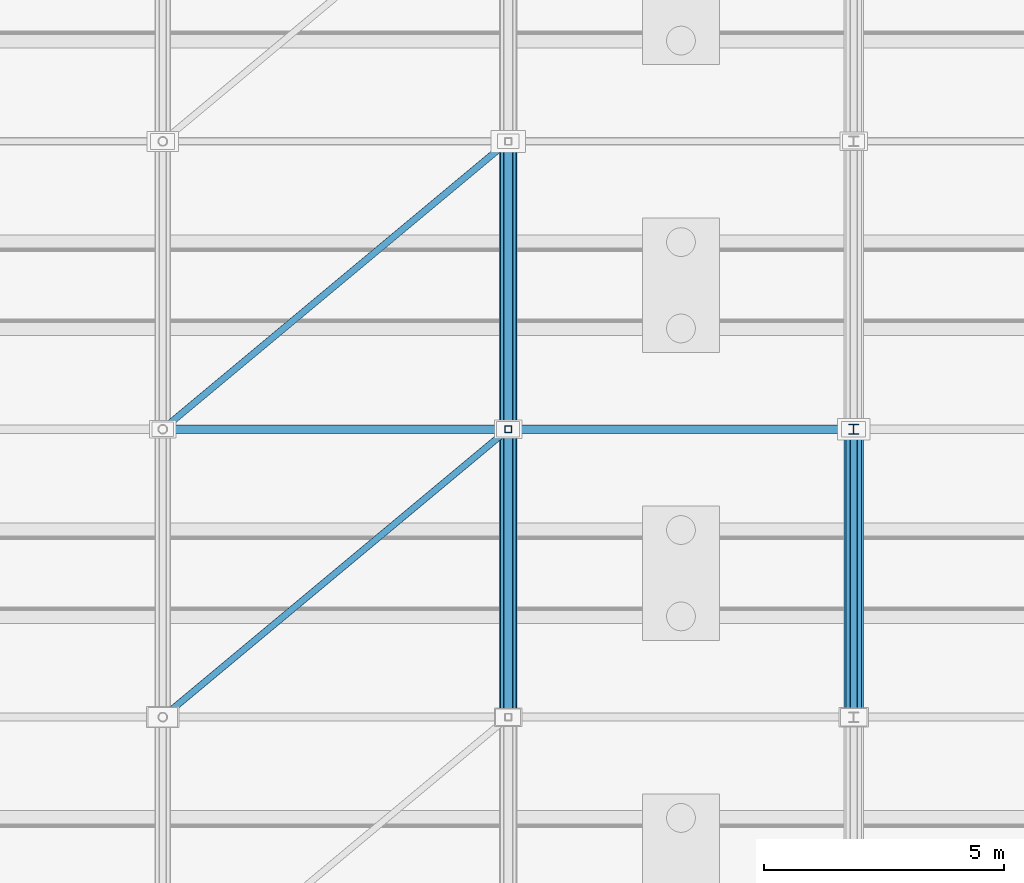
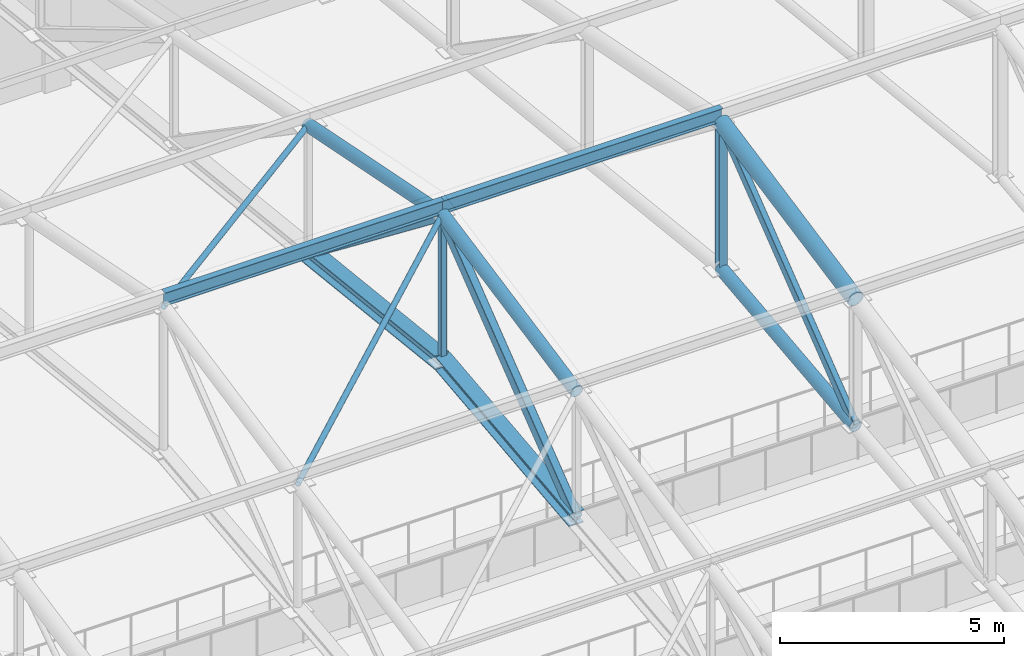
# One storey, part 148 of 293: 15 members.
"""IFC4 building model written with IfcOpenShell, lengths in metres."""

from ifc_helpers import new_model, si_unit, direction, frame, origin, origin_2d, place, context, subcontext, project, spatial, hollow_rectangle, hollow_circle, i_section, extrude, material, material_profile, profile_set, type_object, element, save


model = new_model("IFC4")

# Units and contexts
model_context = context("Model", 3, precision=1e-05, world=origin(), true_north=direction((0.0, 1.0)))
body_context = subcontext(model_context, "Body", "Model", "MODEL_VIEW")
ifc_project = project(units=[si_unit("LENGTHUNIT", "METRE"), si_unit("AREAUNIT", "SQUARE_METRE"), si_unit("VOLUMEUNIT", "CUBIC_METRE"), si_unit("PLANEANGLEUNIT", "RADIAN"), si_unit("MASSUNIT", "GRAM", prefix="KILO")], contexts=[model_context])

# Site, building, storey
site_placement = place(None, origin())
site = spatial("IfcSite", under=ifc_project, at=site_placement, CompositionType="ELEMENT")
building_placement = place(site_placement, origin())
building = spatial("IfcBuilding", under=site, at=building_placement, Name="Kemerveld Promenade Tramway Depot", CompositionType="ELEMENT")
storey_placement = place(building_placement, origin())
storey = spatial("IfcBuildingStorey", under=building, at=storey_placement, Name="L00", CompositionType="ELEMENT", Elevation=0.0)

# Members
ifc_material = material(Name="Steel S355", Category="steel")
ifc_material_profile_1 = material_profile(ifc_material, hollow_rectangle(XDim=0.199951171875, YDim=0.300048828125, WallThickness=0.012451171875, InnerFilletRadius=0.00634765625, OuterFilletRadius=0.018798828125, at=origin_2d()), Name="300x200x12.5 RHS")
ifc_profile_set_1 = profile_set([ifc_material_profile_1], Name="Steel S355")
member_type_1 = type_object("IfcMemberType", Name="MB-M01", PredefinedType="BRACE", material=ifc_profile_set_1)
for number, where, z_axis, x_axis, name in (
    (1, (115.199951171875, 108.0, 12.43994140625), (0.0, 0.789767329101, 0.613406525793), (-1.0, 0.0, 0.0), "TR-17-DG-05"),
    (2, (115.199951171875, 120.0, 12.43994140625), (0.0, -0.789767329101, 0.613406525793), (1.0, 0.0, 0.0), "TR-17-DG-06"),
):
    element("IfcMember", number, at=place(storey_placement, frame(where, z_axis=z_axis, x_axis=x_axis)), inside=storey, type_object=member_type_1, Name=name, PredefinedType="BRACE", context=body_context, shape_type="SweptSolid", body=[
        extrude(hollow_rectangle(XDim=0.199951171875, YDim=0.300048828125, WallThickness=0.012451171875, InnerFilletRadius=0.00634765625, OuterFilletRadius=0.018798828125, at=origin_2d()), origin(), (0.0, 0.0, 1.0), 7.59716796875),
    ])
ifc_material_profile_2 = material_profile(ifc_material, hollow_rectangle(XDim=0.14990234375, YDim=0.25, WallThickness=0.010009765625, InnerFilletRadius=0.0048828125, OuterFilletRadius=0.014892578125, at=origin_2d()), Name="250x150x10.0 RHS")
ifc_profile_set_2 = profile_set([ifc_material_profile_2], Name="Steel S355")
member_type_2 = type_object("IfcMemberType", Name="MB-M02", PredefinedType="BRACE", material=ifc_profile_set_2)
member_1_placement = place(storey_placement, frame((122.39990234375, 108.0, 12.43994140625), z_axis=(0.0, 0.789767329101, 0.613406525793), x_axis=(-1.0, 0.0, 0.0)))
element("IfcMember", 3, at=member_1_placement, inside=storey, type_object=member_type_2, Name="TR-18-DG-05", PredefinedType="BRACE", context=body_context, shape_type="SweptSolid", body=[
    extrude(hollow_rectangle(XDim=0.14990234375, YDim=0.25, WallThickness=0.010009765625, InnerFilletRadius=0.0048828125, OuterFilletRadius=0.014892578125, at=origin_2d()), origin(), (0.0, 0.0, 1.0), 7.59716796875),
])
ifc_material_profile_3 = material_profile(ifc_material, i_section(OverallWidth=0.172119140625, OverallDepth=0.35791015625, WebThickness=0.008056640625, FlangeThickness=0.012939453125, FilletRadius=0.01025390625, at=origin_2d()), Name="356x171x57 UB")
ifc_profile_set_3 = profile_set([ifc_material_profile_3], Name="Steel S355")
member_type_3 = type_object("IfcMemberType", Name="MB-M07", PredefinedType="PURLIN", material=ifc_profile_set_3)
for number, where, z_axis, x_axis, name in (
    (4, (108.0, 114.0, 17.344970703125), (1.0, 0.0, 0.0), (0.0, 1.0, 0.0), "PUR-V1-05-16"),
    (5, (115.199951171875, 114.0, 17.344970703125), (1.0, 0.0, 0.0), (0.0, 1.0, 0.0), "PUR-V1-05-17"),
):
    element("IfcMember", number, at=place(storey_placement, frame(where, z_axis=z_axis, x_axis=x_axis)), inside=storey, type_object=member_type_3, Name=name, PredefinedType="PURLIN", context=body_context, shape_type="SweptSolid", body=[
        extrude(i_section(OverallWidth=0.172119140625, OverallDepth=0.35791015625, WebThickness=0.008056640625, FlangeThickness=0.012939453125, FilletRadius=0.01025390625, at=origin_2d()), origin(), (0.0, 0.0, 1.0), 7.199951171875),
    ])
ifc_material_profile_4 = material_profile(ifc_material, i_section(OverallWidth=0.37255859375, OverallDepth=0.3681640625, WebThickness=0.014404296875, FlangeThickness=0.023681640625, FilletRadius=0.01513671875, at=origin_2d()), Name="356x368x177 UC")
ifc_profile_set_4 = profile_set([ifc_material_profile_4], Name="Steel S355")
member_type_4 = type_object("IfcMemberType", Name="MB-M08", PredefinedType="CHORD", material=ifc_profile_set_4)
for number, where, z_axis, x_axis, name in (
    (6, (115.199951171875, 108.0, 12.43994140625), (0.0, 0.994001542248, 0.109366055104), (-1.0, 0.0, 0.0), "TR-17-BC-05"),
    (7, (115.199951171875, 114.0, 13.10009765625), (0.0, 0.994001542248, -0.109366055104), (-1.0, 0.0, 0.0), "TR-17-BC-06"),
):
    element("IfcMember", number, at=place(storey_placement, frame(where, z_axis=z_axis, x_axis=x_axis)), inside=storey, type_object=member_type_4, Name=name, PredefinedType="CHORD", context=body_context, shape_type="SweptSolid", body=[
        extrude(i_section(OverallWidth=0.37255859375, OverallDepth=0.3681640625, WebThickness=0.014404296875, FlangeThickness=0.023681640625, FilletRadius=0.01513671875, at=origin_2d()), origin(), (0.0, 0.0, 1.0), 6.0361328125),
    ])
ifc_material_profile_5 = material_profile(ifc_material, hollow_circle(Radius=0.06982421875, WallThickness=0.00634765625, at=origin_2d()), Name="139.7x6.3 CHS")
ifc_profile_set_5 = profile_set([ifc_material_profile_5], Name="Steel S355")
member_type_5 = type_object("IfcMemberType", Name="MB-TB3", PredefinedType="BRACE", material=ifc_profile_set_5)
for number, where, z_axis, x_axis, name in (
    (8, (108.0, 108.0, 15.89990234375), (0.761996594365, 0.63500146835, 0.127020964291), (-0.640186961885, 0.768219144407, 0.0), "RBR-V1-04-16"),
    (9, (108.0, 114.0, 17.10009765625), (0.761996594365, 0.63500146835, -0.127020964291), (-0.640186961885, 0.768219144407, 0.0), "RBR-V1-05-16"),
):
    element("IfcMember", number, at=place(storey_placement, frame(where, z_axis=z_axis, x_axis=x_axis)), inside=storey, type_object=member_type_5, Name=name, PredefinedType="BRACE", context=body_context, shape_type="SweptSolid", body=[
        extrude(hollow_circle(Radius=0.06982421875, WallThickness=0.00634765625, at=origin_2d()), origin(), (0.0, 0.0, 1.0), 9.44873046875),
    ])
ifc_material_profile_6 = material_profile(ifc_material, hollow_circle(Radius=0.203125, WallThickness=0.01611328125, at=origin_2d()), Name="406.4x16.0 CHS")
ifc_profile_set_6 = profile_set([ifc_material_profile_6], Name="Steel S355")
member_type_6 = type_object("IfcMemberType", Name="MB-TC1", PredefinedType="CHORD", material=ifc_profile_set_6)
member_2_placement = place(storey_placement, frame((122.39990234375, 108.0, 15.89990234375), z_axis=(0.0, 0.980574536798, 0.196146827104), x_axis=(-1.0, 0.0, 0.0)))
element("IfcMember", 10, at=member_2_placement, inside=storey, type_object=member_type_6, Name="TR-18-TC-05", PredefinedType="CHORD", context=body_context, shape_type="SweptSolid", body=[
    extrude(hollow_circle(Radius=0.203125, WallThickness=0.01611328125, at=origin_2d()), origin(), (0.0, 0.0, 1.0), 6.118896484375),
])
ifc_material_profile_7 = material_profile(ifc_material, hollow_circle(Radius=0.161865234375, WallThickness=0.012451171875, at=origin_2d()), Name="323.9x12.5 CHS")
ifc_profile_set_7 = profile_set([ifc_material_profile_7], Name="Steel S355")
member_type_7 = type_object("IfcMemberType", Name="MB-TC2", PredefinedType="CHORD", material=ifc_profile_set_7)
for number, where, z_axis, x_axis, name in (
    (11, (115.199951171875, 108.0, 15.89990234375), (0.0, 0.980574536798, 0.196146827104), (-1.0, 0.0, 0.0), "TR-17-TC-05"),
    (12, (115.199951171875, 114.0, 17.10009765625), (0.0, 0.980574536798, -0.196146827104), (-1.0, 0.0, 0.0), "TR-17-TC-06"),
):
    element("IfcMember", number, at=place(storey_placement, frame(where, z_axis=z_axis, x_axis=x_axis)), inside=storey, type_object=member_type_7, Name=name, PredefinedType="CHORD", context=body_context, shape_type="SweptSolid", body=[
        extrude(hollow_circle(Radius=0.161865234375, WallThickness=0.012451171875, at=origin_2d()), origin(), (0.0, 0.0, 1.0), 6.118896484375),
    ])
member_3_placement = place(storey_placement, frame((122.39990234375, 108.0, 12.43994140625), z_axis=(0.0, 0.994001542248, 0.109366055104), x_axis=(-1.0, 0.0, 0.0)))
element("IfcMember", 13, at=member_3_placement, inside=storey, type_object=member_type_7, Name="TR-18-BC-05", PredefinedType="CHORD", context=body_context, shape_type="SweptSolid", body=[
    extrude(hollow_circle(Radius=0.161865234375, WallThickness=0.012451171875, at=origin_2d()), origin(), (0.0, 0.0, 1.0), 6.0361328125),
])
ifc_material_profile_8 = material_profile(ifc_material, hollow_rectangle(XDim=0.14990234375, YDim=0.14990234375, WallThickness=0.008056640625, InnerFilletRadius=0.00390625, OuterFilletRadius=0.011962890625, at=origin_2d()), Name="150x150x8.0 SHS")
ifc_profile_set_8 = profile_set([ifc_material_profile_8], Name="Steel S355")
member_type_8 = type_object("IfcMemberType", Name="MB-TP2", PredefinedType="POST", material=ifc_profile_set_8)
member_4_placement = place(storey_placement, frame((115.199951171875, 114.0, 13.10009765625), z_axis=(0.0, 0.0, 1.0), x_axis=(1.0, 0.0, 0.0)))
element("IfcMember", 14, at=member_4_placement, inside=storey, type_object=member_type_8, Name="TR-17-VT-05", PredefinedType="POST", context=body_context, shape_type="SweptSolid", body=[
    extrude(hollow_rectangle(XDim=0.14990234375, YDim=0.14990234375, WallThickness=0.008056640625, InnerFilletRadius=0.00390625, OuterFilletRadius=0.011962890625, at=origin_2d()), origin(), (0.0, 0.0, 1.0), 4.0),
])
ifc_material_profile_9 = material_profile(ifc_material, i_section(OverallWidth=0.205810546875, OverallDepth=0.209716796875, WebThickness=0.009521484375, FlangeThickness=0.01416015625, FilletRadius=0.01025390625, at=origin_2d()), Name="203x203x60 UC")
ifc_profile_set_9 = profile_set([ifc_material_profile_9], Name="Steel S355")
member_type_9 = type_object("IfcMemberType", Name="MB-TP3", PredefinedType="POST", material=ifc_profile_set_9)
member_5_placement = place(storey_placement, frame((122.39990234375, 114.0, 13.10009765625), z_axis=(0.0, 0.0, 1.0), x_axis=(1.0, 0.0, 0.0)))
element("IfcMember", 15, at=member_5_placement, inside=storey, type_object=member_type_9, Name="TR-18-VT-05", PredefinedType="POST", context=body_context, shape_type="SweptSolid", body=[
    extrude(i_section(OverallWidth=0.205810546875, OverallDepth=0.209716796875, WebThickness=0.009521484375, FlangeThickness=0.01416015625, FilletRadius=0.01025390625, at=origin_2d()), origin(), (0.0, 0.0, 1.0), 4.0),
])

save(model, "model.ifc")
